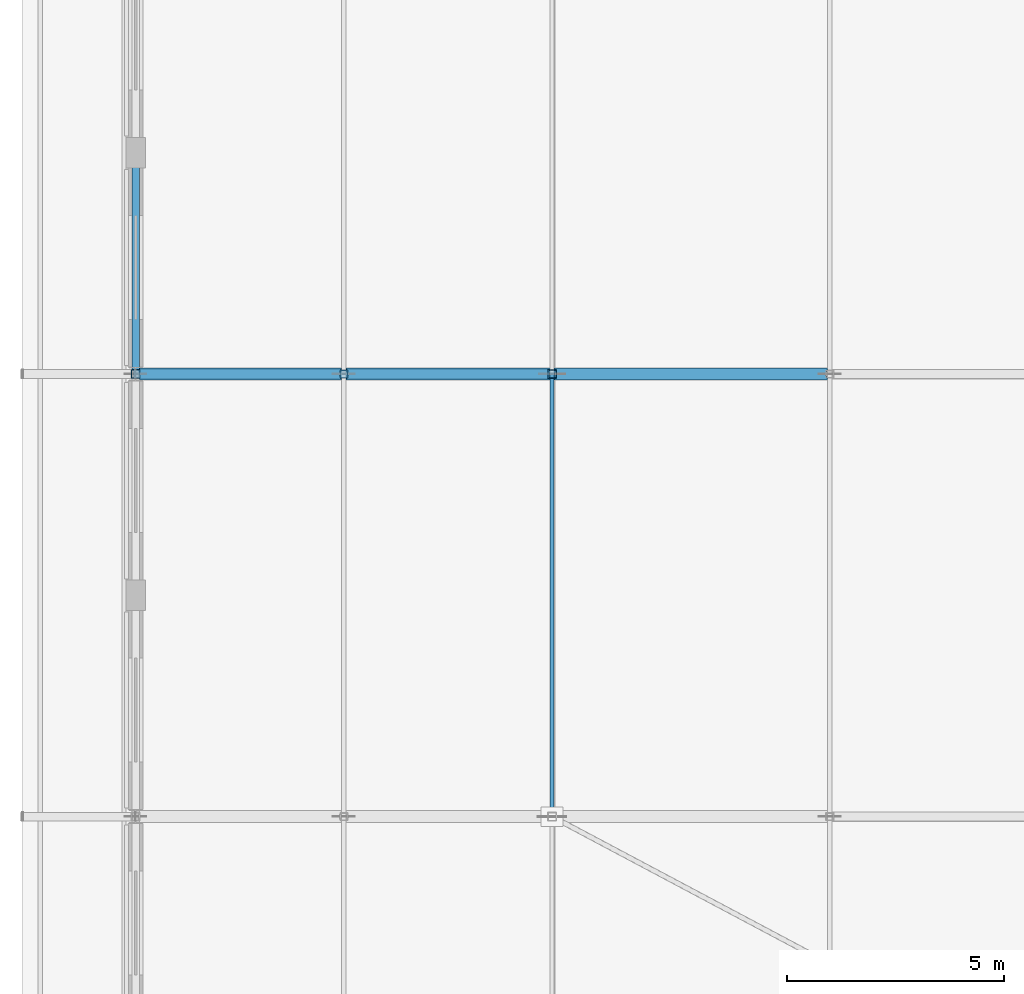
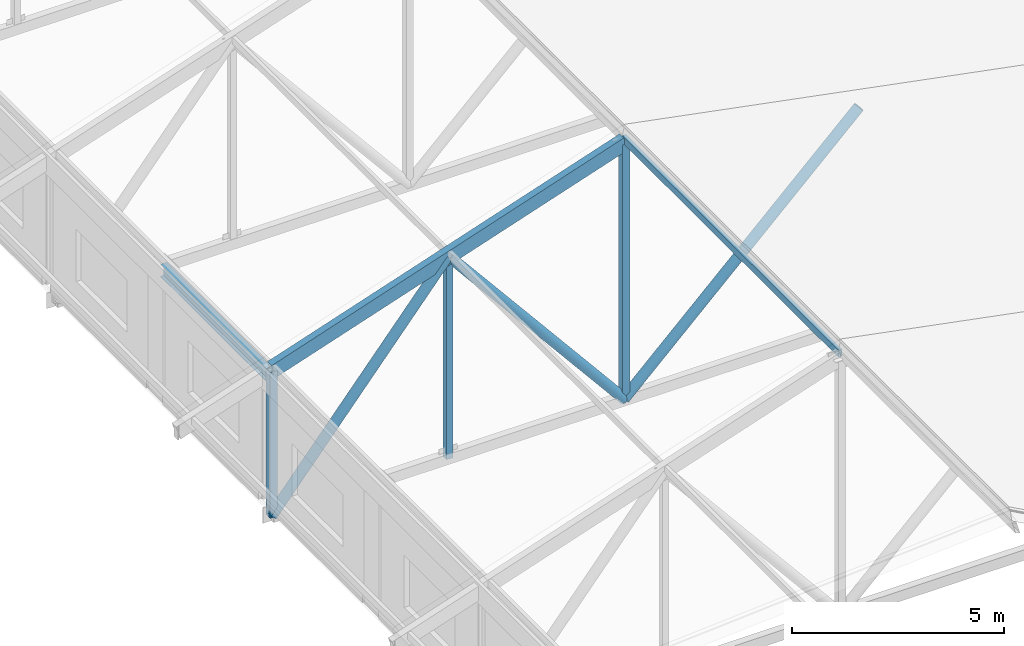
# One storey, part 43 of 200: 8 members, 1 beam.
"""IFC4 building model written with IfcOpenShell, lengths in metres."""

from ifc_helpers import new_model, si_unit, direction, frame, origin, origin_2d, place, context, subcontext, project, spatial, hollow_rectangle, hollow_circle, i_section, extrude, material, material_profile, profile_set, type_object, element, save


model = new_model("IFC4")

# Units and contexts
model_context = context("Model", 3, precision=1e-05, world=origin(), true_north=direction((0.0, 1.0)))
body_context = subcontext(model_context, "Body", "Model", "MODEL_VIEW")
ifc_project = project(units=[si_unit("LENGTHUNIT", "METRE"), si_unit("AREAUNIT", "SQUARE_METRE"), si_unit("VOLUMEUNIT", "CUBIC_METRE"), si_unit("PLANEANGLEUNIT", "RADIAN"), si_unit("MASSUNIT", "GRAM", prefix="KILO")], contexts=[model_context])

# Site, building, storey
site_placement = place(None, origin())
site = spatial("IfcSite", under=ifc_project, at=site_placement, CompositionType="ELEMENT")
building_placement = place(site_placement, origin())
building = spatial("IfcBuilding", under=site, at=building_placement, Name="Vondelvale Polytechnic", CompositionType="ELEMENT")
storey_placement = place(building_placement, frame((0.0, 0.0, 13.800048828125)))
storey = spatial("IfcBuildingStorey", under=building, at=storey_placement, Name="L03", CompositionType="ELEMENT", Elevation=13.800048828125)

# Beam
ifc_material_1 = material(Name="Steel 300PLUS (fy = 300 MPa)", Category="steel")
ifc_material_profile_1 = material_profile(ifc_material_1, i_section(OverallWidth=0.172119140625, OverallDepth=0.35888671875, WebThickness=0.008056640625, FlangeThickness=0.012939453125, FilletRadius=0.011474609375, at=origin_2d()), Name="360UB56.7")
ifc_profile_set_1 = profile_set([ifc_material_profile_1], Name="Steel 300PLUS (fy = 300 MPa)")
beam_type = type_object("IfcBeamType", Name="BM-UB360H", PredefinedType="BEAM", material=ifc_profile_set_1)
beam_placement = place(storey_placement, frame((0.0, 71.39990234375, 3.570556640625), z_axis=(0.0, 1.0, 0.0), x_axis=(-1.0, 0.0, 0.0)))
element("IfcBeam", 1, at=beam_placement, inside=storey, type_object=beam_type, Name="L03 WE B-15", PredefinedType="BEAM", context=body_context, shape_type="SweptSolid", body=[
    extrude(i_section(OverallWidth=0.172119140625, OverallDepth=0.35888671875, WebThickness=0.008056640625, FlangeThickness=0.012939453125, FilletRadius=0.011474609375, at=origin_2d()), origin(), (0.0, 0.0, 1.0), 5.10009765625),
])

# Members
ifc_material_2 = material(Name="Steel C350L0 (fy = 350 MPa)", Category="steel")
ifc_material_profile_2 = material_profile(ifc_material_2, hollow_rectangle(XDim=0.10009765625, YDim=0.199951171875, WallThickness=0.006103515625, at=origin_2d()), Name="200x100x6.0RHS")
ifc_profile_set_2 = profile_set([ifc_material_profile_2], Name="Steel C350L0 (fy = 350 MPa)")
member_type_1 = type_object("IfcMemberType", Name="PURLIN RHS200", PredefinedType="PURLIN", material=ifc_profile_set_2)
member_1_placement = place(storey_placement, frame((9.60009765625, 61.199951171875, 7.07421875), z_axis=(0.0, 1.0, 0.0), x_axis=(-1.0, 0.0, 0.0)))
element("IfcMember", 2, at=member_1_placement, inside=storey, type_object=member_type_1, Name="Workshop roof purlin bay 2", PredefinedType="PURLIN", context=body_context, shape_type="SweptSolid", body=[
    extrude(hollow_rectangle(XDim=0.10009765625, YDim=0.199951171875, WallThickness=0.006103515625, at=origin_2d()), origin(), (0.0, 0.0, 1.0), 10.199951171875),
])
ifc_material_profile_3 = material_profile(ifc_material_2, hollow_circle(Radius=0.136474609375, WallThickness=0.00927734375, at=origin_2d()), Name="273.1x9.3CHS")
ifc_profile_set_3 = profile_set([ifc_material_profile_3], Name="Steel C350L0 (fy = 350 MPa)")
member_type_2 = type_object("IfcMemberType", Name="ROOF TRUSS BRACE 273CHS", PredefinedType="BRACE", material=ifc_profile_set_3)
for number, where, z_axis, x_axis, name in (
    (3, (0.0, 71.39990234375, -0.420166015625), (0.6375683777, 0.0, 0.770393771884), (0.0, 1.0, 0.0), "ROOF TRUSS TR-03 web diagonal 1"),
    (4, (4.800048828125, 71.39990234375, 5.3798828125), (0.6375683777, 0.0, -0.770393771884), (0.0, 1.0, 0.0), "ROOF TRUSS TR-03 web diagonal 2"),
):
    element("IfcMember", number, at=place(storey_placement, frame(where, z_axis=z_axis, x_axis=x_axis)), inside=storey, type_object=member_type_2, Name=name, PredefinedType="BRACE", context=body_context, shape_type="SweptSolid", body=[
        extrude(hollow_circle(Radius=0.136474609375, WallThickness=0.00927734375, at=origin_2d()), origin(), (0.0, 0.0, 1.0), 7.528564453125),
    ])
member_2_placement = place(storey_placement, frame((9.60009765625, 71.39990234375, -0.420166015625), z_axis=(0.720102098263, 0.0, 0.69386812009), x_axis=(0.0, 1.0, 0.0)))
element("IfcMember", 5, at=member_2_placement, inside=storey, type_object=member_type_2, Name="ROOF TRUSS TR-03 web diagonal 3", PredefinedType="BRACE", context=body_context, shape_type="SweptSolid", body=[
    extrude(hollow_circle(Radius=0.136474609375, WallThickness=0.00927734375, at=origin_2d()), origin(), (0.0, 0.0, 1.0), 8.887451171875),
])
ifc_material_profile_4 = material_profile(ifc_material_2, hollow_rectangle(XDim=0.175048828125, YDim=0.175048828125, WallThickness=0.006103515625, at=origin_2d()), Name="175x175x6.0SHS")
ifc_profile_set_4 = profile_set([ifc_material_profile_4], Name="Steel C350L0 (fy = 350 MPa)")
member_type_3 = type_object("IfcMemberType", Name="ROOF TRUSS POST 175SHS", PredefinedType="POST", material=ifc_profile_set_4)
member_3_placement = place(storey_placement, frame((4.800048828125, 71.39990234375, -0.420166015625), z_axis=(0.0, 0.0, 1.0), x_axis=(1.0, 0.0, 0.0)))
element("IfcMember", 6, at=member_3_placement, inside=storey, type_object=member_type_3, Name="ROOF TRUSS TR-03 vertical post 1", PredefinedType="POST", context=body_context, shape_type="SweptSolid", body=[
    extrude(hollow_rectangle(XDim=0.175048828125, YDim=0.175048828125, WallThickness=0.006103515625, at=origin_2d()), origin(), (0.0, 0.0, 1.0), 5.800048828125),
])
ifc_material_profile_5 = material_profile(ifc_material_2, hollow_rectangle(XDim=0.199951171875, YDim=0.199951171875, WallThickness=0.009033203125, at=origin_2d()), Name="200x200x9.0SHS")
ifc_profile_set_5 = profile_set([ifc_material_profile_5], Name="Steel C350L0 (fy = 350 MPa)")
member_type_4 = type_object("IfcMemberType", Name="ROOF TRUSS POST 200SHS", PredefinedType="POST", material=ifc_profile_set_5)
member_4_placement = place(storey_placement, frame((0.0, 71.39990234375, -0.420166015625), z_axis=(0.0, 0.0, 1.0), x_axis=(1.0, 0.0, 0.0)))
element("IfcMember", 7, at=member_4_placement, inside=storey, type_object=member_type_4, Name="ROOF TRUSS TR-03 vertical post 0", PredefinedType="POST", context=body_context, shape_type="SweptSolid", body=[
    extrude(hollow_rectangle(XDim=0.199951171875, YDim=0.199951171875, WallThickness=0.009033203125, at=origin_2d()), origin(), (0.0, 0.0, 1.0), 4.2001953125),
])
member_5_placement = place(storey_placement, frame((9.60009765625, 71.39990234375, -0.420166015625), z_axis=(0.0, 0.0, 1.0), x_axis=(1.0, 0.0, 0.0)))
element("IfcMember", 8, at=member_5_placement, inside=storey, type_object=member_type_4, Name="ROOF TRUSS TR-03 vertical post 2", PredefinedType="POST", context=body_context, shape_type="SweptSolid", body=[
    extrude(hollow_rectangle(XDim=0.199951171875, YDim=0.199951171875, WallThickness=0.009033203125, at=origin_2d()), origin(), (0.0, 0.0, 1.0), 7.400146484375),
])
ifc_material_profile_6 = material_profile(ifc_material_2, hollow_rectangle(XDim=0.199951171875, YDim=0.39990234375, WallThickness=0.010009765625, at=origin_2d()), Name="400x200x10.0RHS")
ifc_profile_set_6 = profile_set([ifc_material_profile_6], Name="Steel C350L0 (fy = 350 MPa)")
member_type_5 = type_object("IfcMemberType", Name="ROOF TRUSS TOP CHORD 400RHS", PredefinedType="CHORD", material=ifc_profile_set_6)
member_6_placement = place(storey_placement, frame((0.0, 71.39990234375, 3.780029296875), z_axis=(0.948685710631, 0.0, 0.316220528184), x_axis=(0.0, 1.0, 0.0)))
element("IfcMember", 9, at=member_6_placement, inside=storey, type_object=member_type_5, Name="ROOF TRUSS TR-03 top chord 2", PredefinedType="CHORD", context=body_context, shape_type="SweptSolid", body=[
    extrude(hollow_rectangle(XDim=0.199951171875, YDim=0.39990234375, WallThickness=0.010009765625, at=origin_2d()), origin(), (0.0, 0.0, 1.0), 10.119384765625),
])

save(model, "model.ifc")
